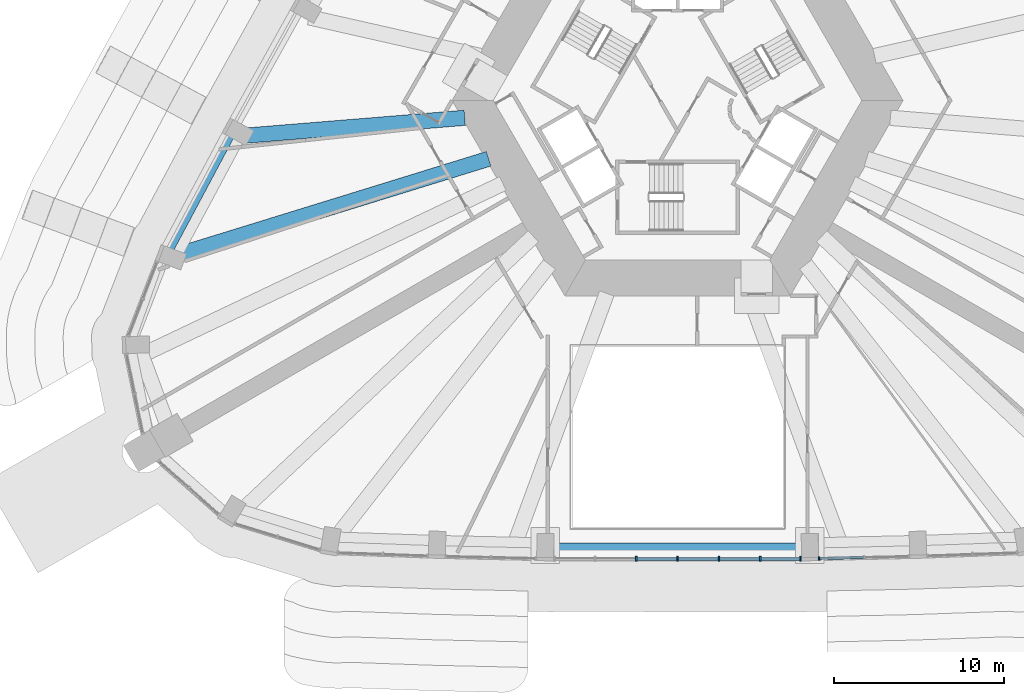
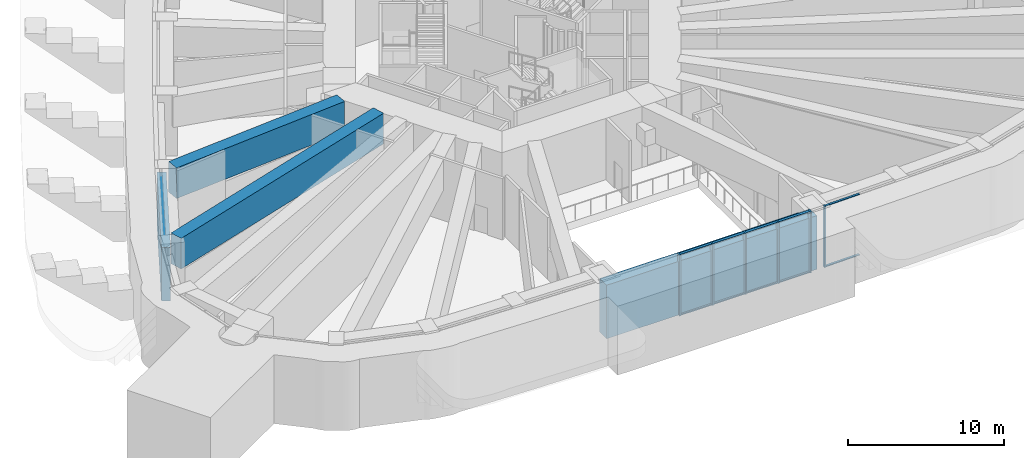
# One storey, part 3 of 21: 18 members, 2 beams, 2 elements without a shape of their own.
"""IFC4 building model written with IfcOpenShell, lengths in metres."""

from ifc_helpers import new_model, si_unit, direction, frame, origin, origin_2d, place, context, subcontext, project, spatial, rectangle, extrude, material, material_profile, profile_set, type_object, element, aggregate, save


model = new_model("IFC4")

# Units and contexts
model_context = context("Model", 3, precision=1e-05, world=origin(), true_north=direction((0.0, 1.0)))
body_context = subcontext(model_context, "Body", "Model", "MODEL_VIEW")
ifc_project = project(units=[si_unit("LENGTHUNIT", "METRE"), si_unit("AREAUNIT", "SQUARE_METRE"), si_unit("VOLUMEUNIT", "CUBIC_METRE"), si_unit("PLANEANGLEUNIT", "RADIAN"), si_unit("MASSUNIT", "GRAM", prefix="KILO")], contexts=[model_context])

# Site, building, storey
site_placement = place(None, origin())
site = spatial("IfcSite", under=ifc_project, at=site_placement, CompositionType="ELEMENT")
building_placement = place(site_placement, origin())
building = spatial("IfcBuilding", under=site, at=building_placement, Name="Entoto Arch Interchange Tower", CompositionType="ELEMENT")
storey_placement = place(building_placement, frame((0.0, 0.0, 236.0)))
storey = spatial("IfcBuildingStorey", under=building, at=storey_placement, Name="L53", CompositionType="ELEMENT", Elevation=236.0)

# Members
ifc_material_1 = material(Name="Concrete C50/60", Category="concrete")
ifc_material_profile_1 = material_profile(ifc_material_1, rectangle(XDim=0.60009765625, YDim=4.199951171875, at=origin_2d()))
ifc_profile_set_1 = profile_set([ifc_material_profile_1], Name="Concrete C50/60")
member_type_1 = type_object("IfcMemberType", Name="Belt member RC 600x4200 C50/60", PredefinedType="USERDEFINED", material=ifc_profile_set_1)
member_1_placement = place(storey_placement, frame((-26.197998046875, 0.822021484375, 2.10009765625), z_axis=(-0.47058524095, -0.882354538153, 0.0), x_axis=(0.882354538153, -0.47058524095, 0.0)))
element("IfcMember", 1, at=member_1_placement, inside=storey, type_object=member_type_1, Name="Belt beam 23 L53", ObjectType="BELT BEAM", PredefinedType="USERDEFINED", context=body_context, shape_type="SweptSolid", body=[
    extrude(rectangle(XDim=0.60009765625, YDim=4.199951171875, at=origin_2d()), origin(), (0.0, 0.0, 1.0), 8.463623046875),
])
ifc_material_profile_2 = material_profile(ifc_material_1, rectangle(XDim=0.89990234375, YDim=4.199951171875, at=origin_2d()))
ifc_profile_set_2 = profile_set([ifc_material_profile_2], Name="Concrete C50/60")
member_type_2 = type_object("IfcMemberType", Name="Belt member RC 900x4200 C50/60", PredefinedType="USERDEFINED", material=ifc_profile_set_2)
member_2_placement = place(storey_placement, frame((-7.794921875, -24.010986328125, 2.10009765625), z_axis=(1.0, 0.0, 0.0), x_axis=(0.0, 1.0, 0.0)))
element("IfcMember", 2, at=member_2_placement, inside=storey, type_object=member_type_2, Name="Belt beam 03 L53", ObjectType="BELT BEAM", PredefinedType="USERDEFINED", context=body_context, shape_type="SweptSolid", body=[
    extrude(rectangle(XDim=0.89990234375, YDim=4.199951171875, at=origin_2d()), origin(), (0.0, 0.0, 1.0), 15.58984375),
])

# Curtain wall, members
ifc_material_2 = material(Name="Aluminium, anodised", Category="aluminium")
curtain_wall_type_1 = type_object("IfcCurtainWallType", Name="CURTAIN WALL ATRIUM", PredefinedType="NOTDEFINED", material=ifc_material_2)
curtain_wall_1_placement = place(storey_placement, origin())
curtain_wall_1 = element("IfcCurtainWall", 3, at=curtain_wall_1_placement, inside=storey, type_object=curtain_wall_type_1, Name="Atrium glazing S-03 L53", PredefinedType="NOTDEFINED")
ifc_material_profile_3 = material_profile(ifc_material_2, rectangle(XDim=0.300048828125, YDim=0.10009765625, at=origin_2d()))
ifc_profile_set_3 = profile_set([ifc_material_profile_3], Name="Aluminium, anodised")
member_type_3 = type_object("IfcMemberType", Name="MULLION ATRIUM 100x300", PredefinedType="MULLION", material=ifc_profile_set_3)
member_3_placement = place(storey_placement, frame((-2.43310546875, -24.48095703125, 0.0), z_axis=(0.0, 0.0, 1.0), x_axis=(0.0, 1.0, 0.0)))
member_3 = element("IfcMember", 4, at=member_3_placement, type_object=member_type_3, Name="CWA mullion 3", PredefinedType="MULLION", context=body_context, shape_type="SweptSolid", body=[
    extrude(rectangle(XDim=0.300048828125, YDim=0.10009765625, at=origin_2d()), origin(), (0.0, 0.0, 1.0), 4.800048828125),
])
member_4_placement = place(storey_placement, frame((0.0, -24.48095703125, 0.0), z_axis=(0.0, 0.0, 1.0), x_axis=(0.0, 1.0, 0.0)))
member_4 = element("IfcMember", 5, at=member_4_placement, type_object=member_type_3, Name="CWA mullion 4", PredefinedType="MULLION", context=body_context, shape_type="SweptSolid", body=[
    extrude(rectangle(XDim=0.300048828125, YDim=0.10009765625, at=origin_2d()), origin(), (0.0, 0.0, 1.0), 4.800048828125),
])
member_5_placement = place(storey_placement, frame((2.43310546875, -24.48095703125, 0.0), z_axis=(0.0, 0.0, 1.0), x_axis=(0.0, 1.0, 0.0)))
member_5 = element("IfcMember", 6, at=member_5_placement, type_object=member_type_3, Name="CWA mullion 5", PredefinedType="MULLION", context=body_context, shape_type="SweptSolid", body=[
    extrude(rectangle(XDim=0.300048828125, YDim=0.10009765625, at=origin_2d()), origin(), (0.0, 0.0, 1.0), 4.800048828125),
])
member_6_placement = place(storey_placement, frame((4.865966796875, -24.48095703125, 0.0), z_axis=(0.0, 0.0, 1.0), x_axis=(0.0, 1.0, 0.0)))
member_6 = element("IfcMember", 7, at=member_6_placement, type_object=member_type_3, Name="CWA mullion 6", PredefinedType="MULLION", context=body_context, shape_type="SweptSolid", body=[
    extrude(rectangle(XDim=0.300048828125, YDim=0.10009765625, at=origin_2d()), origin(), (0.0, 0.0, 1.0), 4.800048828125),
])
member_7_placement = place(storey_placement, frame((7.2490234375, -24.48095703125, 0.0), z_axis=(0.0, 0.0, 1.0), x_axis=(0.0, 1.0, 0.0)))
member_7 = element("IfcMember", 8, at=member_7_placement, type_object=member_type_3, Name="CWA mullion 7", PredefinedType="MULLION", context=body_context, shape_type="SweptSolid", body=[
    extrude(rectangle(XDim=0.300048828125, YDim=0.10009765625, at=origin_2d()), origin(), (0.0, 0.0, 1.0), 4.800048828125),
])

# Curtain wall, member
curtain_wall_type_2 = type_object("IfcCurtainWallType", Name="CURTAIN WALL SKY LOBBY", PredefinedType="NOTDEFINED", material=ifc_material_2)
curtain_wall_2_placement = place(storey_placement, origin())
curtain_wall_2 = element("IfcCurtainWall", 9, at=curtain_wall_2_placement, inside=storey, type_object=curtain_wall_type_2, Name="Sky Lobby glazing S-04 L53", PredefinedType="NOTDEFINED")
ifc_material_profile_4 = material_profile(ifc_material_2, rectangle(XDim=0.219970703125, YDim=0.090087890625, at=origin_2d()))
ifc_profile_set_4 = profile_set([ifc_material_profile_4], Name="Aluminium, anodised")
member_type_4 = type_object("IfcMemberType", Name="MULLION SKY LOBBY 90x220", PredefinedType="MULLION", material=ifc_profile_set_4)
member_8_placement = place(storey_placement, frame((8.342041015625, -24.468994140625, 0.0), z_axis=(0.0, 0.0, 1.0), x_axis=(-0.022278591676, 0.999751801375, 0.0)))
member_8 = element("IfcMember", 10, at=member_8_placement, type_object=member_type_4, Name="CWS mullion 1", PredefinedType="MULLION", context=body_context, shape_type="SweptSolid", body=[
    extrude(rectangle(XDim=0.219970703125, YDim=0.090087890625, at=origin_2d()), origin(), (0.0, 0.0, 1.0), 4.800048828125),
])

# Member
ifc_material_profile_5 = material_profile(ifc_material_2, rectangle(XDim=0.199951171875, YDim=0.080078125, at=origin_2d()))
ifc_profile_set_5 = profile_set([ifc_material_profile_5], Name="Aluminium, anodised")
member_type_5 = type_object("IfcMemberType", Name="TRANSOM ATRIUM 80x200", PredefinedType="USERDEFINED", material=ifc_profile_set_5)
member_9_placement = place(storey_placement, frame((-2.383056640625, -24.48095703125, 0.0400390625), z_axis=(1.0, 0.0, 0.0), x_axis=(0.0, 1.0, 0.0)))
member_9 = element("IfcMember", 11, at=member_9_placement, type_object=member_type_5, Name="CWA transom 3.1", ObjectType="TRANSOM", PredefinedType="USERDEFINED", context=body_context, shape_type="SweptSolid", body=[
    extrude(rectangle(XDim=0.199951171875, YDim=0.080078125, at=origin_2d()), origin(), (0.0, 0.0, 1.0), 2.3330078125),
])

member_10_placement = place(storey_placement, frame((-2.383056640625, -24.48095703125, 4.760009765625), z_axis=(1.0, 0.0, 0.0), x_axis=(0.0, 1.0, 0.0)))
member_10 = element("IfcMember", 12, at=member_10_placement, type_object=member_type_5, Name="CWA transom 3.2", ObjectType="TRANSOM", PredefinedType="USERDEFINED", context=body_context, shape_type="SweptSolid", body=[
    extrude(rectangle(XDim=0.199951171875, YDim=0.080078125, at=origin_2d()), origin(), (0.0, 0.0, 1.0), 2.3330078125),
])

member_11_placement = place(storey_placement, frame((0.050048828125, -24.48095703125, 0.0400390625), z_axis=(1.0, 0.0, 0.0), x_axis=(0.0, 1.0, 0.0)))
member_11 = element("IfcMember", 13, at=member_11_placement, type_object=member_type_5, Name="CWA transom 4.1", ObjectType="TRANSOM", PredefinedType="USERDEFINED", context=body_context, shape_type="SweptSolid", body=[
    extrude(rectangle(XDim=0.199951171875, YDim=0.080078125, at=origin_2d()), origin(), (0.0, 0.0, 1.0), 2.3330078125),
])

member_12_placement = place(storey_placement, frame((0.050048828125, -24.48095703125, 4.760009765625), z_axis=(1.0, 0.0, 0.0), x_axis=(0.0, 1.0, 0.0)))
member_12 = element("IfcMember", 14, at=member_12_placement, type_object=member_type_5, Name="CWA transom 4.2", ObjectType="TRANSOM", PredefinedType="USERDEFINED", context=body_context, shape_type="SweptSolid", body=[
    extrude(rectangle(XDim=0.199951171875, YDim=0.080078125, at=origin_2d()), origin(), (0.0, 0.0, 1.0), 2.3330078125),
])

member_13_placement = place(storey_placement, frame((2.48291015625, -24.48095703125, 0.0400390625), z_axis=(1.0, 0.0, 0.0), x_axis=(0.0, 1.0, 0.0)))
member_13 = element("IfcMember", 15, at=member_13_placement, type_object=member_type_5, Name="CWA transom 5.1", ObjectType="TRANSOM", PredefinedType="USERDEFINED", context=body_context, shape_type="SweptSolid", body=[
    extrude(rectangle(XDim=0.199951171875, YDim=0.080078125, at=origin_2d()), origin(), (0.0, 0.0, 1.0), 2.3330078125),
])

member_14_placement = place(storey_placement, frame((2.48291015625, -24.48095703125, 4.760009765625), z_axis=(1.0, 0.0, 0.0), x_axis=(0.0, 1.0, 0.0)))
member_14 = element("IfcMember", 16, at=member_14_placement, type_object=member_type_5, Name="CWA transom 5.2", ObjectType="TRANSOM", PredefinedType="USERDEFINED", context=body_context, shape_type="SweptSolid", body=[
    extrude(rectangle(XDim=0.199951171875, YDim=0.080078125, at=origin_2d()), origin(), (0.0, 0.0, 1.0), 2.3330078125),
])

member_15_placement = place(storey_placement, frame((4.916015625, -24.48095703125, 0.0400390625), z_axis=(1.0, 0.0, 0.0), x_axis=(0.0, 1.0, 0.0)))
member_15 = element("IfcMember", 17, at=member_15_placement, type_object=member_type_5, Name="CWA transom 6.1", ObjectType="TRANSOM", PredefinedType="USERDEFINED", context=body_context, shape_type="SweptSolid", body=[
    extrude(rectangle(XDim=0.199951171875, YDim=0.080078125, at=origin_2d()), origin(), (0.0, 0.0, 1.0), 2.282958984375),
])

member_16_placement = place(storey_placement, frame((4.916015625, -24.48095703125, 4.760009765625), z_axis=(1.0, 0.0, 0.0), x_axis=(0.0, 1.0, 0.0)))
member_16 = element("IfcMember", 18, at=member_16_placement, type_object=member_type_5, Name="CWA transom 6.2", ObjectType="TRANSOM", PredefinedType="USERDEFINED", context=body_context, shape_type="SweptSolid", body=[
    extrude(rectangle(XDim=0.199951171875, YDim=0.080078125, at=origin_2d()), origin(), (0.0, 0.0, 1.0), 2.282958984375),
])

aggregate(curtain_wall_1, [member_3, member_4, member_5, member_6, member_7, member_9, member_10, member_11, member_12, member_13, member_14, member_15, member_16])

ifc_material_profile_6 = material_profile(ifc_material_2, rectangle(XDim=0.159912109375, YDim=0.070068359375, at=origin_2d()))
ifc_profile_set_6 = profile_set([ifc_material_profile_6], Name="Aluminium, anodised")
member_type_6 = type_object("IfcMemberType", Name="TRANSOM SKY LOBBY 70x160", PredefinedType="USERDEFINED", material=ifc_profile_set_6)
member_17_placement = place(storey_placement, frame((8.386962890625, -24.468017578125, 0.034912109375), z_axis=(0.999750627669, 0.022331199587, 0.0), x_axis=(-0.022331199587, 0.999750627669, 0.0)))
member_17 = element("IfcMember", 19, at=member_17_placement, type_object=member_type_6, Name="CWS transom 1.1", ObjectType="TRANSOM", PredefinedType="USERDEFINED", context=body_context, shape_type="SweptSolid", body=[
    extrude(rectangle(XDim=0.159912109375, YDim=0.070068359375, at=origin_2d()), origin(), (0.0, 0.0, 1.0), 2.558349609375),
])

member_18_placement = place(storey_placement, frame((8.386962890625, -24.468017578125, 4.764892578125), z_axis=(0.999750627669, 0.022331199587, 0.0), x_axis=(-0.022331199587, 0.999750627669, 0.0)))
member_18 = element("IfcMember", 20, at=member_18_placement, type_object=member_type_6, Name="CWS transom 1.2", ObjectType="TRANSOM", PredefinedType="USERDEFINED", context=body_context, shape_type="SweptSolid", body=[
    extrude(rectangle(XDim=0.159912109375, YDim=0.070068359375, at=origin_2d()), origin(), (0.0, 0.0, 1.0), 2.558349609375),
])

aggregate(curtain_wall_2, [member_8, member_17, member_18])

# Beams
ifc_material_profile_7 = material_profile(ifc_material_1, rectangle(XDim=0.89990234375, YDim=2.39990234375, at=origin_2d()))
ifc_profile_set_7 = profile_set([ifc_material_profile_7], Name="Concrete C50/60")
beam_type = type_object("IfcBeamType", Name="Transfer beam RC 900x2400 C50/60", PredefinedType="BEAM", material=ifc_profile_set_7)
beam_1_placement = place(storey_placement, frame((-12.533935546875, 1.47998046875, 3.60009765625), z_axis=(-0.99670803482, -0.081074615793, 0.0), x_axis=(0.081074615793, -0.99670803482, 0.0)))
element("IfcBeam", 21, at=beam_1_placement, inside=storey, type_object=beam_type, Name="Transfer beam NW05 L53", PredefinedType="BEAM", context=body_context, shape_type="SweptSolid", body=[
    extrude(rectangle(XDim=0.89990234375, YDim=2.39990234375, at=origin_2d()), origin(), (0.0, 0.0, 1.0), 13.123291015625),
])
beam_2_placement = place(storey_placement, frame((-11.126953125, -0.93408203125, 3.60009765625), z_axis=(-0.955518834418, -0.294930088448, 0.0), x_axis=(0.294930088448, -0.955518834418, 0.0)))
element("IfcBeam", 22, at=beam_2_placement, inside=storey, type_object=beam_type, Name="Transfer beam NW06 L53", PredefinedType="BEAM", context=body_context, shape_type="SweptSolid", body=[
    extrude(rectangle(XDim=0.89990234375, YDim=2.39990234375, at=origin_2d()), origin(), (0.0, 0.0, 1.0), 19.119384765625),
])

save(model, "model.ifc")
